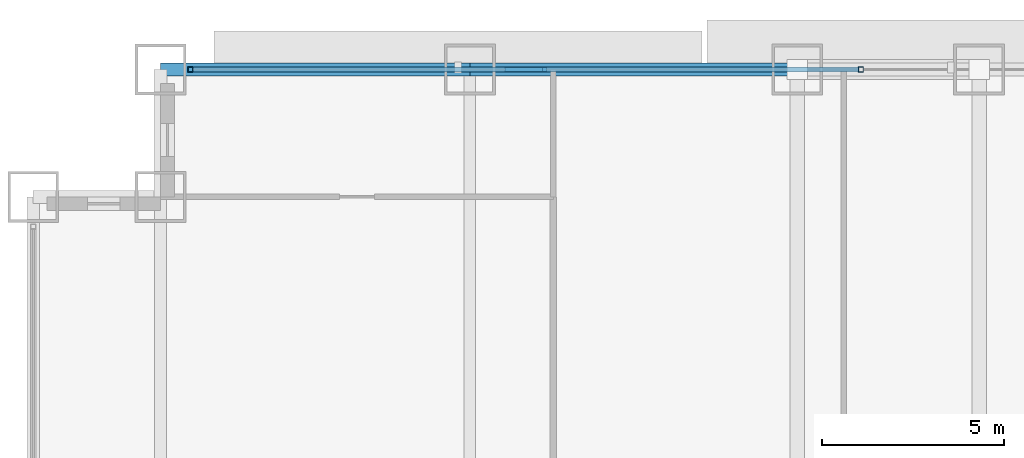
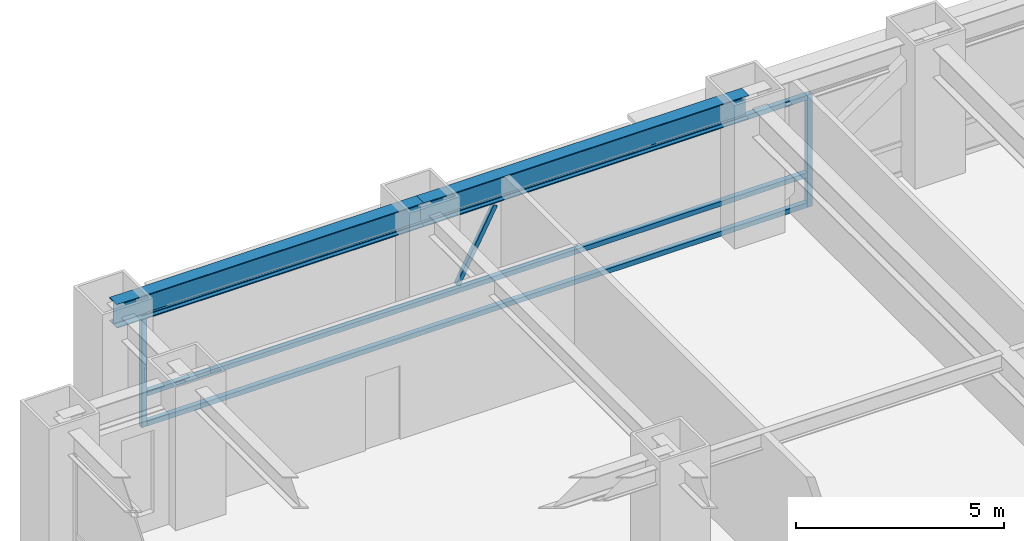
# One storey, part 19 of 31: 6 members, 2 beams, 1 element without a shape of its own.
"""IFC4 building model written with IfcOpenShell, lengths in metres."""

from ifc_helpers import new_model, si_unit, direction, frame, origin, origin_2d, place, context, subcontext, project, spatial, hollow_rectangle, i_section, extrude, source, transform, mapped, material, material_profile, profile_set, type_object, element, aggregate, save


model = new_model("IFC4")

# Units and contexts
model_context = context("Model", 3, precision=1e-05, world=origin(), true_north=direction((0.0, 1.0)))
body_context = subcontext(model_context, "Body", "Model", "MODEL_VIEW")
ifc_project = project(units=[si_unit("LENGTHUNIT", "METRE"), si_unit("AREAUNIT", "SQUARE_METRE"), si_unit("VOLUMEUNIT", "CUBIC_METRE"), si_unit("PLANEANGLEUNIT", "RADIAN"), si_unit("MASSUNIT", "GRAM", prefix="KILO")], contexts=[model_context])

# Site, building, storey
site_placement = place(None, origin())
site = spatial("IfcSite", under=ifc_project, at=site_placement, CompositionType="ELEMENT")
building_placement = place(site_placement, origin())
building = spatial("IfcBuilding", under=site, at=building_placement, Name="Khorayat Bourse Tower", CompositionType="ELEMENT")
storey_placement = place(building_placement, frame((0.0, 0.0, 41.0)))
storey = spatial("IfcBuildingStorey", under=building, at=storey_placement, Name="L08", CompositionType="ELEMENT", Elevation=41.0)

# Beams
ifc_material_1 = material(Name="Steel ASTM A992 Grade 50", Category="steel")
ifc_material_profile_1 = material_profile(ifc_material_1, i_section(OverallWidth=0.35498046875, OverallDepth=0.695068359375, WebThickness=0.015380859375, FlangeThickness=0.02490234375, FilletRadius=0.01806640625, at=origin_2d()), Name="W690X217")
ifc_profile_set_1 = profile_set([ifc_material_profile_1], Name="Steel ASTM A992 Grade 50")
beam_type = type_object("IfcBeamType", Name="BM-SPAN-690", PredefinedType="SPANDREL", material=ifc_profile_set_1)
shared_shape_1 = source(origin(), body_context, "Body", "SweptSolid", [
    extrude(i_section(OverallWidth=0.35498046875, OverallDepth=0.695068359375, WebThickness=0.015380859375, FlangeThickness=0.02490234375, FilletRadius=0.01806640625, at=origin_2d()), origin(), (0.0, 0.0, 1.0), 8.5),
])
beam_1_placement = place(storey_placement, frame((-28.5, 32.0, 3.592529296875), z_axis=(1.0, 0.0, 0.0), x_axis=(0.0, 1.0, 0.0)))
element("IfcBeam", 1, at=beam_1_placement, inside=storey, type_object=beam_type, Name="L08 BM-SPAN-690 BM-L08-SPN-051", PredefinedType="SPANDREL", context=body_context, shape_type="MappedRepresentation", body=[
    mapped(shared_shape_1, transform((0.0, 0.0, 0.0), scale=1.0)),
])
shared_shape_2 = source(origin(), body_context, "Body", "SweptSolid", [
    extrude(i_section(OverallWidth=0.35498046875, OverallDepth=0.695068359375, WebThickness=0.015380859375, FlangeThickness=0.02490234375, FilletRadius=0.01806640625, at=origin_2d()), origin(), (0.0, 0.0, 1.0), 9.0),
])
beam_2_placement = place(storey_placement, frame((-20.0, 32.0, 3.592529296875), z_axis=(1.0, 0.0, 0.0), x_axis=(0.0, 1.0, 0.0)))
element("IfcBeam", 2, at=beam_2_placement, inside=storey, type_object=beam_type, Name="L08 BM-SPAN-690 BM-L08-SPN-050", PredefinedType="SPANDREL", context=body_context, shape_type="MappedRepresentation", body=[
    mapped(shared_shape_2, transform((0.0, 0.0, 0.0), scale=1.0)),
])

# Curtain wall, members
ifc_material_2 = material(Name="Aluminium EN AW-6063 T6", Category="aluminium")
curtain_wall_type = type_object("IfcCurtainWallType", Name="CW-SYS-02", PredefinedType="NOTDEFINED", material=ifc_material_2)
curtain_wall_placement = place(storey_placement, origin())
curtain_wall = element("IfcCurtainWall", 3, at=curtain_wall_placement, inside=storey, type_object=curtain_wall_type, Name="L08 Curtain Wall CW-L08-N1", PredefinedType="NOTDEFINED")
ifc_material_profile_2 = material_profile(ifc_material_2, hollow_rectangle(XDim=0.139892578125, YDim=0.139892578125, WallThickness=0.006103515625, at=origin_2d()), Name="ALU 140x140x6")
ifc_profile_set_2 = profile_set([ifc_material_profile_2], Name="Aluminium EN AW-6063 T6")
member_type_1 = type_object("IfcMemberType", Name="CWT-HORZ-140", PredefinedType="USERDEFINED", material=ifc_profile_set_2)
shared_shape_3 = source(origin(), body_context, "Body", "SweptSolid", [
    extrude(hollow_rectangle(XDim=0.139892578125, YDim=0.139892578125, WallThickness=0.006103515625, at=origin_2d()), origin(), (0.0, 0.0, 1.0), 18.2900390625),
])
member_1_placement = place(storey_placement, frame((-27.610107421875, 32.0, 0.070068359375), z_axis=(1.0, 0.0, 0.0), x_axis=(0.0, 1.0, 0.0)))
member_1 = element("IfcMember", 4, at=member_1_placement, type_object=member_type_1, Name="CW-L08-N1 Horizontal Transom 1-1", ObjectType="TRANSOM", PredefinedType="USERDEFINED", context=body_context, shape_type="MappedRepresentation", body=[
    mapped(shared_shape_3, transform((0.0, 0.0, 0.0), scale=1.0)),
])
member_2_placement = place(storey_placement, frame((-27.610107421875, 32.0, 0.949951171875), z_axis=(1.0, 0.0, 0.0), x_axis=(0.0, 1.0, 0.0)))
member_2 = element("IfcMember", 5, at=member_2_placement, type_object=member_type_1, Name="CW-L08-N1 Horizontal Transom 1-2", ObjectType="TRANSOM", PredefinedType="USERDEFINED", context=body_context, shape_type="MappedRepresentation", body=[
    mapped(shared_shape_3, transform((0.0, 0.0, 0.0), scale=1.0)),
])
member_3_placement = place(storey_placement, frame((-27.610107421875, 32.0, 3.219970703125), z_axis=(1.0, 0.0, 0.0), x_axis=(0.0, 1.0, 0.0)))
member_3 = element("IfcMember", 6, at=member_3_placement, type_object=member_type_1, Name="CW-L08-N1 Horizontal Transom 1-3", ObjectType="TRANSOM", PredefinedType="USERDEFINED", context=body_context, shape_type="MappedRepresentation", body=[
    mapped(shared_shape_3, transform((0.0, 0.0, 0.0), scale=1.0)),
])
ifc_material_profile_3 = material_profile(ifc_material_2, hollow_rectangle(XDim=0.1201171875, YDim=0.1201171875, WallThickness=0.0048828125, at=origin_2d()), Name="ALU 120x120x5")
ifc_profile_set_3 = profile_set([ifc_material_profile_3], Name="Aluminium EN AW-6063 T6")
member_type_2 = type_object("IfcMemberType", Name="CWM-DIAG-120", PredefinedType="MULLION", material=ifc_profile_set_3)
shared_shape_4 = source(origin(), body_context, "Body", "SweptSolid", [
    extrude(hollow_rectangle(XDim=0.1201171875, YDim=0.1201171875, WallThickness=0.0048828125, at=origin_2d()), origin(), (0.0, 0.0, 1.0), 2.22607421875),
])
member_4_placement = place(storey_placement, frame((-18.9833984375, 32.0, 1.10009765625), z_axis=(0.465759992596, 0.0, 0.884911085532), x_axis=(0.0, 1.0, 0.0)))
member_4 = element("IfcMember", 7, at=member_4_placement, type_object=member_type_2, Name="CW-L08-N1 Faceted Diagonal Mullion 1", PredefinedType="MULLION", context=body_context, shape_type="MappedRepresentation", body=[
    mapped(shared_shape_4, transform((0.0, 0.0, 0.0), scale=1.0)),
])
ifc_material_profile_4 = material_profile(ifc_material_2, hollow_rectangle(XDim=0.139892578125, YDim=0.139892578125, WallThickness=0.006103515625, at=origin_2d()), Name="ALU 140x140x6")
ifc_profile_set_4 = profile_set([ifc_material_profile_4], Name="Aluminium EN AW-6063 T6")
member_type_3 = type_object("IfcMemberType", Name="CWM-VERT-140", PredefinedType="MULLION", material=ifc_profile_set_4)
shared_shape_5 = source(origin(), body_context, "Body", "SweptSolid", [
    extrude(hollow_rectangle(XDim=0.139892578125, YDim=0.139892578125, WallThickness=0.006103515625, at=origin_2d()), origin(), (0.0, 0.0, 1.0), 3.2900390625),
])
member_5_placement = place(storey_placement, frame((-27.679931640625, 32.0, 0.0), z_axis=(0.0, 0.0, 1.0), x_axis=(0.0, 1.0, 0.0)))
member_5 = element("IfcMember", 8, at=member_5_placement, type_object=member_type_3, Name="CW-L08-N1 Vertical Mullion 1", PredefinedType="MULLION", context=body_context, shape_type="MappedRepresentation", body=[
    mapped(shared_shape_5, transform((0.0, 0.0, 0.0), scale=1.0)),
])
member_6_placement = place(storey_placement, frame((-9.25, 32.0, 0.0), z_axis=(0.0, 0.0, 1.0), x_axis=(0.0, 1.0, 0.0)))
member_6 = element("IfcMember", 9, at=member_6_placement, type_object=member_type_3, Name="CW-L08-N1 Vertical Mullion 2", PredefinedType="MULLION", context=body_context, shape_type="MappedRepresentation", body=[
    mapped(shared_shape_5, transform((0.0, 0.0, 0.0), scale=1.0)),
])
aggregate(curtain_wall, [member_5, member_6, member_1, member_2, member_3, member_4])

save(model, "model.ifc")
